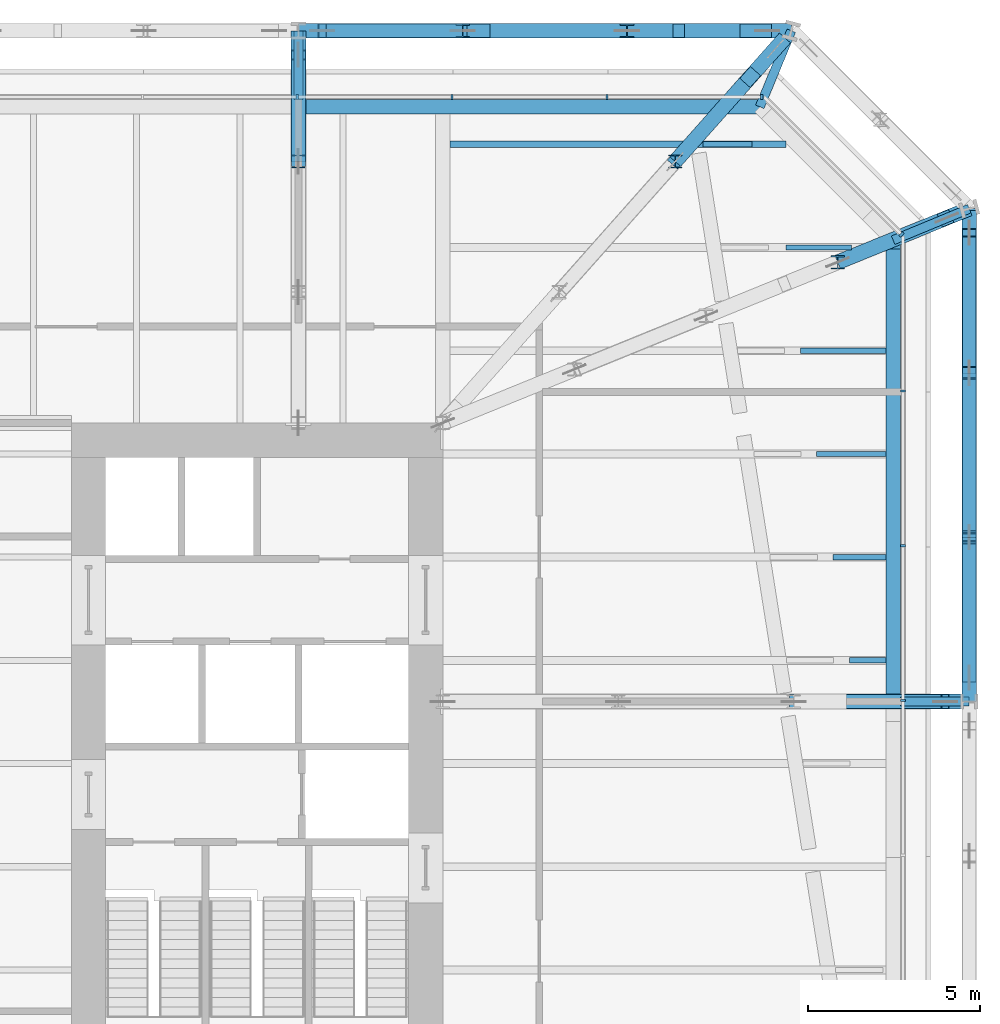
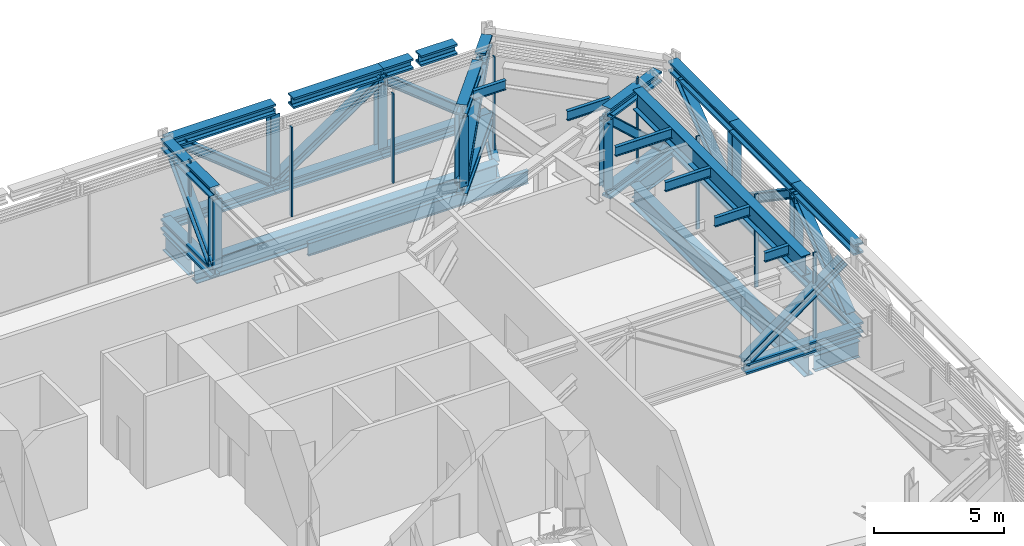
# One storey, part 18 of 31: 35 beams, 25 members, 3 elements without a shape of their own.
"""IFC4 building model written with IfcOpenShell, lengths in metres."""

import ifcopenshell
import ifcopenshell.guid

model = None  # the IFC model being written
_history = None  # IfcOwnerHistory: only IFC2X3 demands one
_inside = {}  # id of a spatial element -> (the spatial element, [elements in it])
_under = {}  # id of a project, library or spatial element -> (it, [spatial elements below it])
_declared = {}  # id of a project -> (the project, [libraries it declares])
_typed = {}  # id of a type object -> (the type object, [elements of that type])
_made_of = {}  # id of a material, layer set ... -> (it, [elements and type objects made of it])


def new_model(schema):
    """Start an empty IFC model of exactly this schema.

    Asked for "IFC4X3", IfcOpenShell would pick the latest addendum, in which some entities
    have other attributes; the version numbers below select the first issue.
    IFC2X3 requires an IfcOwnerHistory on every rooted entity: one is made here for all.
    """
    global model, _history
    if schema == "IFC4X3":
        model = ifcopenshell.file(schema_version=(4, 3, 0, 0))
    else:
        model = ifcopenshell.file(schema=schema)
    _inside.clear()
    _under.clear()
    _declared.clear()
    _typed.clear()
    _made_of.clear()
    _history = None
    if model.schema == "IFC2X3":
        org = make("IfcOrganization", Name="unknown")
        user = make(
            "IfcPersonAndOrganization",
            ThePerson=make("IfcPerson", FamilyName="unknown"),
            TheOrganization=org,
        )
        app = make(
            "IfcApplication",
            ApplicationDeveloper=org,
            Version="unknown",
            ApplicationFullName="unknown",
            ApplicationIdentifier="unknown",
        )
        _history = make(
            "IfcOwnerHistory",
            OwningUser=user,
            OwningApplication=app,
            ChangeAction="ADDED",
            CreationDate=0,
        )
    return model


def make(cls, **values):
    """One entity of the class cls with the attributes given. An attribute that is None is left unset."""
    return model.create_entity(
        cls, **{name: value for name, value in values.items() if value is not None}
    )


def rooted(cls, **values):
    """An entity with a GlobalId (a new one), such as an element, a storey or a relation."""
    return make(cls, GlobalId=ifcopenshell.guid.new(), OwnerHistory=_history, **values)


def si_unit(unit_type, name, prefix=None):
    """IfcSIUnit, for example si_unit("LENGTHUNIT", "METRE", prefix="MILLI")."""
    return make("IfcSIUnit", UnitType=unit_type, Prefix=prefix, Name=name)


def assignment(units):
    """IfcUnitAssignment: the units of a project."""
    return None if units is None else make("IfcUnitAssignment", Units=units)


def point(xyz):
    """IfcCartesianPoint."""
    return None if xyz is None else make("IfcCartesianPoint", Coordinates=xyz)


def direction(xyz):
    """IfcDirection."""
    return None if xyz is None else make("IfcDirection", DirectionRatios=xyz)


def frame(location, z_axis=None, x_axis=None):
    """IfcAxis2Placement3D, a coordinate frame: its origin and axes. An axis left out is left unset."""
    return make(
        "IfcAxis2Placement3D",
        Location=point(location),
        Axis=direction(z_axis),
        RefDirection=direction(x_axis),
    )


def frame_2d(location, x_axis=None):
    """IfcAxis2Placement2D, a coordinate frame in the plane: its origin and x axis."""
    return make(
        "IfcAxis2Placement2D", Location=point(location), RefDirection=direction(x_axis)
    )


def origin():
    """The frame at (0, 0, 0) with its axes left unset."""
    return frame((0.0, 0.0, 0.0))


def origin_2d():
    """The frame at (0, 0) in the plane with its x axis left unset."""
    return frame_2d((0.0, 0.0))


def place(relative_to, where):
    """IfcLocalPlacement: puts the frame where relative to a parent placement (None: the world)."""
    return make(
        "IfcLocalPlacement", PlacementRelTo=relative_to, RelativePlacement=where
    )


def context(
    kind, dimensions, precision=None, world=None, true_north=None, identifier=None
):
    """IfcGeometricRepresentationContext, for example the 3D "Model" context."""
    return make(
        "IfcGeometricRepresentationContext",
        ContextIdentifier=identifier,
        ContextType=kind,
        CoordinateSpaceDimension=dimensions,
        Precision=precision,
        WorldCoordinateSystem=world,
        TrueNorth=true_north,
    )


def subcontext(parent, identifier, kind, view, scale=None):
    """IfcGeometricRepresentationSubContext, for example "Body" below "Model"."""
    return make(
        "IfcGeometricRepresentationSubContext",
        ContextIdentifier=identifier,
        ContextType=kind,
        ParentContext=parent,
        TargetScale=scale,
        TargetView=view,
    )


def project(units=None, contexts=None):
    """IfcProject with its units and contexts."""
    return rooted(
        "IfcProject",
        Name="project",
        RepresentationContexts=contexts,
        UnitsInContext=assignment(units),
    )


def spatial(cls, under=None, at=None, **own):
    """A site, building, storey or space (cls), placed at a placement, below another one or the project."""
    s = rooted(cls, ObjectPlacement=at, **own)
    if under is not None:
        _under.setdefault(under.id(), (under, []))[1].append(s)
    return s


def profile(cls, at=None, kind="AREA", **sizes):
    """A parametric profile (cls). Its sizes go by their IFC names, for example OverallWidth=200.0."""
    return make(cls, ProfileType=kind, Position=at, **sizes)


def rectangle(**sizes):
    """IfcRectangleProfileDef."""
    return profile("IfcRectangleProfileDef", **sizes)


def i_section(**sizes):
    """IfcIShapeProfileDef."""
    return profile("IfcIShapeProfileDef", **sizes)


def extrude(swept, where, along, depth):
    """IfcExtrudedAreaSolid: the profile swept, set in the frame where, extruded along a direction by depth."""
    return make(
        "IfcExtrudedAreaSolid",
        SweptArea=swept,
        Position=where,
        ExtrudedDirection=direction(along),
        Depth=depth,
    )


def shape(context_of_items, identifier, shape_type, items):
    """IfcShapeRepresentation: the items that make up one representation, for example the "Body"."""
    return make(
        "IfcShapeRepresentation",
        ContextOfItems=context_of_items,
        RepresentationIdentifier=identifier,
        RepresentationType=shape_type,
        Items=items,
    )


def material(Name=None, Category=None):
    """IfcMaterial."""
    return make("IfcMaterial", Name=Name, Category=Category)


def layer(
    of_material, thickness, ventilated=None, Name=None, Category=None, Priority=None
):
    """IfcMaterialLayer: one layer of a wall or slab, of a material (None: an air gap)."""
    return make(
        "IfcMaterialLayer",
        Material=of_material,
        LayerThickness=thickness,
        IsVentilated=ventilated,
        Name=Name,
        Category=Category,
        Priority=Priority,
    )


def layer_set(layers, Name=None):
    """IfcMaterialLayerSet."""
    return make("IfcMaterialLayerSet", MaterialLayers=layers, LayerSetName=Name)


def material_profile(
    of_material, cross_section, Name=None, Category=None, Priority=None
):
    """IfcMaterialProfile: a cross section and its material."""
    return make(
        "IfcMaterialProfile",
        Name=Name,
        Material=of_material,
        Profile=cross_section,
        Priority=Priority,
        Category=Category,
    )


def profile_set(profiles, Name=None, composite=None):
    """IfcMaterialProfileSet."""
    return make(
        "IfcMaterialProfileSet",
        Name=Name,
        MaterialProfiles=profiles,
        CompositeProfile=composite,
    )


def made_of(thing, what):
    """Note that an element or type object is made of a material, layer set ...; save() writes the relation."""
    if what is not None:
        _made_of.setdefault(what.id(), (what, []))[1].append(thing)
    return thing


def type_object(cls, material=None, **own):
    """A type object (cls), such as IfcWallType, which elements share."""
    return made_of(rooted(cls, **own), material)


def element(
    cls,
    number,
    at=None,
    inside=None,
    cuts=None,
    type_object=None,
    material=None,
    context=None,
    identifier="Body",
    shape_type=None,
    held_by="IfcProductDefinitionShape",
    body=None,
    shapes=None,
    **own,
):
    """One element of the class cls, such as IfcWall. Its Tag is "e" and its number.

    at: its placement. inside: the storey or other place that contains it. cuts: it is an
    opening in that element (IfcRelVoidsElement). A single representation is given by context,
    identifier, shape_type and body (its items); several are given by shapes. held_by: the class
    of the entity that holds the representations. save() writes the other relations.
    """
    e = rooted(cls, Tag="e%d" % number, ObjectPlacement=at, **own)
    if body is not None:
        shapes = [shape(context, identifier, shape_type, body)]
    if shapes is not None:
        e.Representation = make(held_by, Representations=shapes)
    if inside is not None:
        _inside.setdefault(inside.id(), (inside, []))[1].append(e)
    if cuts is not None:
        rooted(
            "IfcRelVoidsElement", RelatingBuildingElement=cuts, RelatedOpeningElement=e
        )
    if type_object is not None:
        _typed.setdefault(type_object.id(), (type_object, []))[1].append(e)
    return made_of(e, material)


def aggregate(whole, parts):
    """IfcRelAggregates: a whole, such as a stair, and the parts it consists of."""
    return rooted("IfcRelAggregates", RelatingObject=whole, RelatedObjects=parts)


def save(model, path):
    """Write the relations noted so far, then the file.

    IfcRelAggregates (storeys below a building ...), IfcRelContainedInSpatialStructure (elements
    in a storey), IfcRelDefinesByType, IfcRelAssociatesMaterial and IfcRelDeclares: one each for
    every whole, place, type object, material and project.
    """
    for whole, parts in _under.values():
        aggregate(whole, parts)
    for where, things in _inside.values():
        rooted(
            "IfcRelContainedInSpatialStructure",
            RelatedElements=things,
            RelatingStructure=where,
        )
    for kind, things in _typed.values():
        rooted("IfcRelDefinesByType", RelatedObjects=things, RelatingType=kind)
    for what, things in _made_of.values():
        rooted("IfcRelAssociatesMaterial", RelatedObjects=things, RelatingMaterial=what)
    for by, libraries in _declared.values():
        rooted("IfcRelDeclares", RelatingContext=by, RelatedDefinitions=libraries)
    model.write(path)


model = new_model("IFC4")

# Units and contexts
model_context = context("Model", 3, precision=1e-05, world=origin(), true_north=direction((0.0, 1.0)))
body_context = subcontext(model_context, "Body", "Model", "MODEL_VIEW")
ifc_project = project(units=[si_unit("LENGTHUNIT", "METRE"), si_unit("AREAUNIT", "SQUARE_METRE"), si_unit("VOLUMEUNIT", "CUBIC_METRE"), si_unit("PLANEANGLEUNIT", "RADIAN"), si_unit("MASSUNIT", "GRAM", prefix="KILO")], contexts=[model_context])

# Site, building, storey
site_placement = place(None, origin())
site = spatial("IfcSite", under=ifc_project, at=site_placement, CompositionType="ELEMENT")
building_placement = place(site_placement, origin())
building = spatial("IfcBuilding", under=site, at=building_placement, Name="Millrace Tower", CompositionType="ELEMENT")
storey_placement = place(building_placement, frame((0.0, 0.0, 120.39990234375)))
storey = spatial("IfcBuildingStorey", under=building, at=storey_placement, Name="L26", CompositionType="ELEMENT", Elevation=120.39990234375)

# Beams
ifc_material_1 = material(Name="Steel ASTM A992 Grade 50", Category="steel")
ifc_material_profile_1 = material_profile(ifc_material_1, i_section(OverallWidth=0.431884765625, OverallDepth=0.497802734375, WebThickness=0.0556640625, FlangeThickness=0.0888671875, FilletRadius=0.01513671875, at=origin_2d()))
ifc_profile_set_1 = profile_set([ifc_material_profile_1], Name="Steel ASTM A992 Grade 50")
beam_type_1 = type_object("IfcBeamType", Name="Belt truss chord W14x500", PredefinedType="BEAM", material=ifc_profile_set_1)
for number, where, z_axis, x_axis, name in (
    (1, (30.199951171875, 1.800048828125, 0.2490234375), (0.0, 1.0, 0.0), (-1.0, 0.0, 0.0), "BLT-L26-R08-B01"),
    (2, (30.199951171875, 1.800048828125, 3.9912109375), (0.0, 1.0, 0.0), (-1.0, 0.0, 0.0), "BLT-L26-R08-T01"),
    (3, (30.199951171875, 6.576171875, 0.2490234375), (0.0, 1.0, 0.0), (-1.0, 0.0, 0.0), "BLT-L26-R08-B02"),
    (4, (30.199951171875, 6.576171875, 3.9912109375), (0.0, 1.0, 0.0), (-1.0, 0.0, 0.0), "BLT-L26-R08-T02"),
    (5, (30.199951171875, 11.352294921875, 0.2490234375), (0.0, 1.0, 0.0), (-1.0, 0.0, 0.0), "BLT-L26-R08-B03"),
    (6, (25.0283203125, 21.300048828125, 0.2490234375), (-1.0, 0.0, 0.0), (0.0, -1.0, 0.0), "BLT-L26-R10-B01"),
    (7, (20.252197265625, 21.300048828125, 0.2490234375), (-1.0, 0.0, 0.0), (0.0, -1.0, 0.0), "BLT-L26-R10-B02"),
    (8, (15.47607421875, 21.300048828125, 0.2490234375), (-1.0, 0.0, 0.0), (0.0, -1.0, 0.0), "BLT-L26-R10-B03"),
    (9, (15.47607421875, 21.300048828125, 3.9912109375), (-1.0, 0.0, 0.0), (0.0, -1.0, 0.0), "BLT-L26-R10-T03"),
):
    element("IfcBeam", number, at=place(storey_placement, frame(where, z_axis=z_axis, x_axis=x_axis)), inside=storey, type_object=beam_type_1, Name=name, PredefinedType="BEAM", context=body_context, shape_type="SweptSolid", body=[
        extrude(i_section(OverallWidth=0.431884765625, OverallDepth=0.497802734375, WebThickness=0.0556640625, FlangeThickness=0.0888671875, FilletRadius=0.01513671875, at=origin_2d()), origin(), (0.0, 0.0, 1.0), 4.776123046875),
    ])
beam_1_placement = place(storey_placement, frame((30.199951171875, 11.352294921875, 3.9912109375), z_axis=(0.0, 1.0, 0.0), x_axis=(-1.0, 0.0, 0.0)))
element("IfcBeam", 10, at=beam_1_placement, inside=storey, type_object=beam_type_1, Name="BLT-L26-R08-T03", PredefinedType="BEAM", context=body_context, shape_type="SweptSolid", body=[
    extrude(i_section(OverallWidth=0.431884765625, OverallDepth=0.497802734375, WebThickness=0.0556640625, FlangeThickness=0.0888671875, FilletRadius=0.01513671875, at=origin_2d()), origin(), (0.0, 0.0, 1.0), 4.730712890625),
])
beam_2_placement = place(storey_placement, frame((20.252197265625, 21.300048828125, 3.9912109375), z_axis=(-1.0, 0.0, 0.0), x_axis=(0.0, -1.0, 0.0)))
element("IfcBeam", 11, at=beam_2_placement, inside=storey, type_object=beam_type_1, Name="BLT-L26-R10-T02", PredefinedType="BEAM", context=body_context, shape_type="SweptSolid", body=[
    extrude(i_section(OverallWidth=0.431884765625, OverallDepth=0.497802734375, WebThickness=0.0556640625, FlangeThickness=0.0888671875, FilletRadius=0.01513671875, at=origin_2d()), origin(), (0.0, 0.0, 1.0), 3.9794921875),
])
beam_3_placement = place(storey_placement, frame((21.58544921875, 21.300048828125, 3.9912109375), z_axis=(-1.0, 0.0, 0.0), x_axis=(0.0, -1.0, 0.0)))
element("IfcBeam", 12, at=beam_3_placement, inside=storey, type_object=beam_type_1, Name="BLT-L26-R10-T01-b", PredefinedType="BEAM", context=body_context, shape_type="SweptSolid", body=[
    extrude(i_section(OverallWidth=0.431884765625, OverallDepth=0.497802734375, WebThickness=0.0556640625, FlangeThickness=0.0888671875, FilletRadius=0.01513671875, at=origin_2d()), origin(), (0.0, 0.0, 1.0), 1.333251953125),
])
beam_4_placement = place(storey_placement, frame((23.54345703125, 21.300048828125, 3.9912109375), z_axis=(-1.0, 0.0, 0.0), x_axis=(0.0, -1.0, 0.0)))
element("IfcBeam", 13, at=beam_4_placement, inside=storey, type_object=beam_type_1, Name="BLT-L26-R10-T01-a", PredefinedType="BEAM", context=body_context, shape_type="SweptSolid", body=[
    extrude(i_section(OverallWidth=0.431884765625, OverallDepth=0.497802734375, WebThickness=0.0556640625, FlangeThickness=0.0888671875, FilletRadius=0.01513671875, at=origin_2d()), origin(), (0.0, 0.0, 1.0), 1.61865234375),
])

# Members
ifc_material_2 = material(Name="Steel ASTM A992 Grade 50", Category="steel")
ifc_material_profile_2 = material_profile(ifc_material_2, i_section(OverallWidth=0.4013671875, OverallDepth=0.398681640625, WebThickness=0.02490234375, FlangeThickness=0.03955078125, FilletRadius=0.01513671875, at=origin_2d()))
ifc_profile_set_2 = profile_set([ifc_material_profile_2], Name="Steel ASTM A992 Grade 50")
member_type_1 = type_object("IfcMemberType", Name="Belt truss diagonal W14x211", PredefinedType="BRACE", material=ifc_profile_set_2)
member_1_placement = place(storey_placement, frame((30.199951171875, 2.5, 0.498046875), z_axis=(0.0, 0.782439131655, 0.62272707124), x_axis=(-1.0, 0.0, 0.0)))
element("IfcMember", 14, at=member_1_placement, inside=storey, type_object=member_type_1, Name="BLT-L26-R08-D01", PredefinedType="BRACE", context=body_context, shape_type="SweptSolid", body=[
    extrude(i_section(OverallWidth=0.4013671875, OverallDepth=0.398681640625, WebThickness=0.02490234375, FlangeThickness=0.03955078125, FilletRadius=0.01513671875, at=origin_2d()), origin(), (0.0, 0.0, 1.0), 5.20947265625),
])
member_2_placement = place(storey_placement, frame((30.199951171875, 11.352294921875, 0.498046875), z_axis=(0.0, -0.827218174589, 0.561880851809), x_axis=(1.0, 0.0, 0.0)))
element("IfcMember", 15, at=member_2_placement, inside=storey, type_object=member_type_1, Name="BLT-L26-R08-D02", PredefinedType="BRACE", context=body_context, shape_type="SweptSolid", body=[
    extrude(i_section(OverallWidth=0.4013671875, OverallDepth=0.398681640625, WebThickness=0.02490234375, FlangeThickness=0.03955078125, FilletRadius=0.01513671875, at=origin_2d()), origin(), (0.0, 0.0, 1.0), 5.773681640625),
])
for number, where, z_axis, x_axis, name in (
    (16, (30.199951171875, 11.352294921875, 0.498046875), (0.0, 0.782439131655, 0.62272707124), (-1.0, 0.0, 0.0), "BLT-L26-R08-D03"),
    (17, (24.328369140625, 21.300048828125, 0.498046875), (-0.782439131655, 0.0, 0.62272707124), (0.0, -1.0, 0.0), "BLT-L26-R10-D01"),
):
    element("IfcMember", number, at=place(storey_placement, frame(where, z_axis=z_axis, x_axis=x_axis)), inside=storey, type_object=member_type_1, Name=name, PredefinedType="BRACE", context=body_context, shape_type="SweptSolid", body=[
        extrude(i_section(OverallWidth=0.4013671875, OverallDepth=0.398681640625, WebThickness=0.02490234375, FlangeThickness=0.03955078125, FilletRadius=0.01513671875, at=origin_2d()), origin(), (0.0, 0.0, 1.0), 5.20947265625),
    ])
member_3_placement = place(storey_placement, frame((15.47607421875, 21.300048828125, 0.498046875), z_axis=(0.827218174589, 0.0, 0.561880851809), x_axis=(0.0, 1.0, 0.0)))
element("IfcMember", 18, at=member_3_placement, inside=storey, type_object=member_type_1, Name="BLT-L26-R10-D02", PredefinedType="BRACE", context=body_context, shape_type="SweptSolid", body=[
    extrude(i_section(OverallWidth=0.4013671875, OverallDepth=0.398681640625, WebThickness=0.02490234375, FlangeThickness=0.03955078125, FilletRadius=0.01513671875, at=origin_2d()), origin(), (0.0, 0.0, 1.0), 5.773681640625),
])
member_4_placement = place(storey_placement, frame((15.47607421875, 21.300048828125, 0.498046875), z_axis=(-0.782439131655, 0.0, 0.62272707124), x_axis=(0.0, -1.0, 0.0)))
element("IfcMember", 19, at=member_4_placement, inside=storey, type_object=member_type_1, Name="BLT-L26-R10-D03", PredefinedType="BRACE", context=body_context, shape_type="SweptSolid", body=[
    extrude(i_section(OverallWidth=0.4013671875, OverallDepth=0.398681640625, WebThickness=0.02490234375, FlangeThickness=0.03955078125, FilletRadius=0.01513671875, at=origin_2d()), origin(), (0.0, 0.0, 1.0), 5.20947265625),
])
ifc_material_3 = material(Name="Steel ASTM A992 Grade 50", Category="steel")
ifc_material_profile_3 = material_profile(ifc_material_3, i_section(OverallWidth=0.398681640625, OverallDepth=0.385986328125, WebThickness=0.02099609375, FlangeThickness=0.033203125, FilletRadius=0.01513671875, at=origin_2d()))
ifc_profile_set_3 = profile_set([ifc_material_profile_3], Name="Steel ASTM A992 Grade 50")
member_type_2 = type_object("IfcMemberType", Name="Belt truss post W14x176", PredefinedType="POST", material=ifc_profile_set_3)
for number, where, z_axis, x_axis, name in (
    (20, (30.199951171875, 6.576171875, 0.498046875), (0.0, 0.0, 1.0), (1.0, 0.0, 0.0), "BLT-L26-R08-V01"),
    (21, (30.199951171875, 11.352294921875, 0.498046875), (0.0, 0.0, 1.0), (1.0, 0.0, 0.0), "BLT-L26-R08-V02"),
    (22, (20.252197265625, 21.300048828125, 0.498046875), (0.0, 0.0, 1.0), (1.0, 0.0, 0.0), "BLT-L26-R10-V01"),
    (23, (15.47607421875, 21.300048828125, 0.498046875), (0.0, 0.0, 1.0), (1.0, 0.0, 0.0), "BLT-L26-R10-V02"),
):
    element("IfcMember", number, at=place(storey_placement, frame(where, z_axis=z_axis, x_axis=x_axis)), inside=storey, type_object=member_type_2, Name=name, PredefinedType="POST", context=body_context, shape_type="SweptSolid", body=[
        extrude(i_section(OverallWidth=0.398681640625, OverallDepth=0.385986328125, WebThickness=0.02099609375, FlangeThickness=0.033203125, FilletRadius=0.01513671875, at=origin_2d()), origin(), (0.0, 0.0, 1.0), 3.244140625),
    ])

# Curtain wall, members
ifc_material_4 = material(Name="Aluminium and glass", Category="aluminium")
ifc_layer = layer(ifc_material_4, 0.14990234375)
ifc_layer_set = layer_set([ifc_layer], Name="Aluminium and glass")
curtain_wall_type = type_object("IfcCurtainWallType", Name="CW-5 truss and plant storey louvred infill", PredefinedType="NOTDEFINED", material=ifc_layer_set)
placement = place(storey_placement, origin())
curtain_wall_1 = element("IfcCurtainWall", 24, at=placement, inside=storey, type_object=curtain_wall_type, Name="Curtain wall B-F04 L26", PredefinedType="NOTDEFINED")
ifc_material_5 = material(Name="Aluminium", Category="aluminium")
ifc_material_profile_4 = material_profile(ifc_material_5, rectangle(XDim=0.06494140625, YDim=0.14990234375, at=origin_2d()))
ifc_profile_set_4 = profile_set([ifc_material_profile_4], Name="Aluminium")
member_type_3 = type_object("IfcMemberType", Name="CW-5 truss and plant storey louvred infill mullion", PredefinedType="MULLION", material=ifc_profile_set_4)
member_5_placement = place(storey_placement, frame((28.27490234375, 1.83251953125, 0.14013671875), z_axis=(0.0, 0.0, 1.0), x_axis=(0.0, 1.0, 0.0)))
member_5 = element("IfcMember", 25, at=member_5_placement, type_object=member_type_3, Name="CW5 mullion B-F04.7", PredefinedType="MULLION", context=body_context, shape_type="SweptSolid", body=[
    extrude(rectangle(XDim=0.06494140625, YDim=0.14990234375, at=origin_2d()), origin(), (0.0, 0.0, 1.0), 4.35986328125),
])
member_6_placement = place(storey_placement, frame((28.27490234375, 6.33251953125, 0.14013671875), z_axis=(0.0, 0.0, 1.0), x_axis=(0.0, 1.0, 0.0)))
member_6 = element("IfcMember", 26, at=member_6_placement, type_object=member_type_3, Name="CW5 mullion B-F04.8", PredefinedType="MULLION", context=body_context, shape_type="SweptSolid", body=[
    extrude(rectangle(XDim=0.06494140625, YDim=0.14990234375, at=origin_2d()), origin(), (0.0, 0.0, 1.0), 4.35986328125),
])
member_7_placement = place(storey_placement, frame((28.27490234375, 10.83251953125, 0.14013671875), z_axis=(0.0, 0.0, 1.0), x_axis=(0.0, 1.0, 0.0)))
member_7 = element("IfcMember", 27, at=member_7_placement, type_object=member_type_3, Name="CW5 mullion B-F04.9", PredefinedType="MULLION", context=body_context, shape_type="SweptSolid", body=[
    extrude(rectangle(XDim=0.06494140625, YDim=0.14990234375, at=origin_2d()), origin(), (0.0, 0.0, 1.0), 4.35986328125),
])
aggregate(curtain_wall_1, [member_5, member_6, member_7])

# Curtain wall, member
curtain_wall_2 = element("IfcCurtainWall", 28, at=placement, inside=storey, type_object=curtain_wall_type, Name="Curtain wall B-F05 L26", PredefinedType="NOTDEFINED")
member_8_placement = place(storey_placement, frame((28.22998046875, 15.3759765625, 0.14013671875), z_axis=(0.0, 0.0, 1.0), x_axis=(-0.707106781187, 0.707106781187, 0.0)))
member_8 = element("IfcMember", 29, at=member_8_placement, type_object=member_type_3, Name="CW5 mullion B-F05.1", PredefinedType="MULLION", context=body_context, shape_type="SweptSolid", body=[
    extrude(rectangle(XDim=0.06494140625, YDim=0.14990234375, at=origin_2d()), origin(), (0.0, 0.0, 1.0), 4.35986328125),
])
aggregate(curtain_wall_2, [member_8])

# Curtain wall, members
curtain_wall_3 = element("IfcCurtainWall", 30, at=placement, inside=storey, type_object=curtain_wall_type, Name="Curtain wall B-F06 L26", PredefinedType="NOTDEFINED")
member_9_placement = place(storey_placement, frame((24.16748046875, 19.375, 0.14013671875), z_axis=(0.0, 0.0, 1.0), x_axis=(-1.0, 0.0, 0.0)))
member_9 = element("IfcMember", 31, at=member_9_placement, type_object=member_type_3, Name="CW5 mullion B-F06.1", PredefinedType="MULLION", context=body_context, shape_type="SweptSolid", body=[
    extrude(rectangle(XDim=0.06494140625, YDim=0.14990234375, at=origin_2d()), origin(), (0.0, 0.0, 1.0), 4.35986328125),
])
member_10_placement = place(storey_placement, frame((19.66748046875, 19.375, 0.14013671875), z_axis=(0.0, 0.0, 1.0), x_axis=(-1.0, 0.0, 0.0)))
member_10 = element("IfcMember", 32, at=member_10_placement, type_object=member_type_3, Name="CW5 mullion B-F06.2", PredefinedType="MULLION", context=body_context, shape_type="SweptSolid", body=[
    extrude(rectangle(XDim=0.06494140625, YDim=0.14990234375, at=origin_2d()), origin(), (0.0, 0.0, 1.0), 4.199951171875),
])
member_11_placement = place(storey_placement, frame((15.16748046875, 19.375, 0.14013671875), z_axis=(0.0, 0.0, 1.0), x_axis=(-1.0, 0.0, 0.0)))
member_11 = element("IfcMember", 33, at=member_11_placement, type_object=member_type_3, Name="CW5 mullion B-F06.3", PredefinedType="MULLION", context=body_context, shape_type="SweptSolid", body=[
    extrude(rectangle(XDim=0.06494140625, YDim=0.14990234375, at=origin_2d()), origin(), (0.0, 0.0, 1.0), 4.199951171875),
])
member_12_placement = place(storey_placement, frame((10.66748046875, 19.375, 0.14013671875), z_axis=(0.0, 0.0, 1.0), x_axis=(-1.0, 0.0, 0.0)))
member_12 = element("IfcMember", 34, at=member_12_placement, type_object=member_type_3, Name="CW5 mullion B-F06.4", PredefinedType="MULLION", context=body_context, shape_type="SweptSolid", body=[
    extrude(rectangle(XDim=0.06494140625, YDim=0.14990234375, at=origin_2d()), origin(), (0.0, 0.0, 1.0), 4.199951171875),
])
aggregate(curtain_wall_3, [member_9, member_10, member_11, member_12])

# Beams
ifc_material_6 = material(Name="Steel ASTM A992 Grade 50", Category="steel")
ifc_material_profile_5 = material_profile(ifc_material_6, i_section(OverallWidth=0.15234375, OverallDepth=0.449462890625, WebThickness=0.007568359375, FlangeThickness=0.0107421875, FilletRadius=0.01025390625, at=origin_2d()))
ifc_profile_set_5 = profile_set([ifc_material_profile_5], Name="Steel ASTM A992 Grade 50")
beam_type_2 = type_object("IfcBeamType", Name="Floor beam W18x35", PredefinedType="JOIST", material=ifc_profile_set_5)
beam_5_placement = place(storey_placement, frame((26.7138671875, 3.0, 4.115234375), z_axis=(1.0, 0.0, 0.0), x_axis=(0.0, 1.0, 0.0)))
element("IfcBeam", 35, at=beam_5_placement, inside=storey, type_object=beam_type_2, Name="BM-B-L26-R2-S005-b", PredefinedType="JOIST", context=body_context, shape_type="SweptSolid", body=[
    extrude(i_section(OverallWidth=0.15234375, OverallDepth=0.449462890625, WebThickness=0.007568359375, FlangeThickness=0.0107421875, FilletRadius=0.01025390625, at=origin_2d()), origin(), (0.0, 0.0, 1.0), 1.064453125),
])
beam_6_placement = place(storey_placement, frame((26.23876953125, 6.0, 4.115234375), z_axis=(1.0, 0.0, 0.0), x_axis=(0.0, 1.0, 0.0)))
element("IfcBeam", 36, at=beam_6_placement, inside=storey, type_object=beam_type_2, Name="BM-B-L26-R2-S006-b", PredefinedType="JOIST", context=body_context, shape_type="SweptSolid", body=[
    extrude(i_section(OverallWidth=0.15234375, OverallDepth=0.449462890625, WebThickness=0.007568359375, FlangeThickness=0.0107421875, FilletRadius=0.01025390625, at=origin_2d()), origin(), (0.0, 0.0, 1.0), 1.53955078125),
])
beam_7_placement = place(storey_placement, frame((25.763671875, 9.0, 4.115234375), z_axis=(1.0, 0.0, 0.0), x_axis=(0.0, 1.0, 0.0)))
element("IfcBeam", 37, at=beam_7_placement, inside=storey, type_object=beam_type_2, Name="BM-B-L26-R2-S007-b", PredefinedType="JOIST", context=body_context, shape_type="SweptSolid", body=[
    extrude(i_section(OverallWidth=0.15234375, OverallDepth=0.449462890625, WebThickness=0.007568359375, FlangeThickness=0.0107421875, FilletRadius=0.01025390625, at=origin_2d()), origin(), (0.0, 0.0, 1.0), 2.0146484375),
])
beam_8_placement = place(storey_placement, frame((25.288330078125, 12.0, 4.115234375), z_axis=(1.0, 0.0, 0.0), x_axis=(0.0, 1.0, 0.0)))
element("IfcBeam", 38, at=beam_8_placement, inside=storey, type_object=beam_type_2, Name="BM-B-L26-R2-S008-b", PredefinedType="JOIST", context=body_context, shape_type="SweptSolid", body=[
    extrude(i_section(OverallWidth=0.15234375, OverallDepth=0.449462890625, WebThickness=0.007568359375, FlangeThickness=0.0107421875, FilletRadius=0.01025390625, at=origin_2d()), origin(), (0.0, 0.0, 1.0), 2.489990234375),
])
beam_9_placement = place(storey_placement, frame((22.45751953125, 18.0, 4.115234375), z_axis=(1.0, 0.0, 0.0), x_axis=(0.0, 1.0, 0.0)))
element("IfcBeam", 39, at=beam_9_placement, inside=storey, type_object=beam_type_2, Name="BM-B-L26-R2-S010", PredefinedType="JOIST", context=body_context, shape_type="SweptSolid", body=[
    extrude(i_section(OverallWidth=0.15234375, OverallDepth=0.449462890625, WebThickness=0.007568359375, FlangeThickness=0.0107421875, FilletRadius=0.01025390625, at=origin_2d()), origin(), (0.0, 0.0, 1.0), 1.427490234375),
])
beam_10_placement = place(storey_placement, frame((24.877197265625, 15.0, 4.115234375), z_axis=(1.0, 0.0, 0.0), x_axis=(0.0, 1.0, 0.0)))
element("IfcBeam", 40, at=beam_10_placement, inside=storey, type_object=beam_type_2, Name="BM-B-L26-R2-S009-b", PredefinedType="JOIST", context=body_context, shape_type="SweptSolid", body=[
    extrude(i_section(OverallWidth=0.15234375, OverallDepth=0.449462890625, WebThickness=0.007568359375, FlangeThickness=0.0107421875, FilletRadius=0.01025390625, at=origin_2d()), origin(), (0.0, 0.0, 1.0), 1.894287109375),
])
ifc_material_7 = material(Name="Steel ASTM A992 Grade 50", Category="steel")
ifc_material_profile_6 = material_profile(ifc_material_7, i_section(OverallWidth=0.177978515625, OverallDepth=0.599365234375, WebThickness=0.010009765625, FlangeThickness=0.012939453125, FilletRadius=0.012939453125, at=origin_2d()))
ifc_profile_set_6 = profile_set([ifc_material_profile_6], Name="Steel ASTM A992 Grade 50")
beam_type_3 = type_object("IfcBeamType", Name="Floor beam W24x55", PredefinedType="JOIST", material=ifc_profile_set_6)
beam_11_placement = place(storey_placement, frame((15.112060546875, 18.0, -0.549560546875), z_axis=(1.0, 0.0, 0.0), x_axis=(0.0, 1.0, 0.0)))
element("IfcBeam", 41, at=beam_11_placement, inside=storey, type_object=beam_type_3, Name="BM-B-L26-S1-S039", PredefinedType="JOIST", context=body_context, shape_type="SweptSolid", body=[
    extrude(i_section(OverallWidth=0.177978515625, OverallDepth=0.599365234375, WebThickness=0.010009765625, FlangeThickness=0.012939453125, FilletRadius=0.012939453125, at=origin_2d()), origin(), (0.0, 0.0, 1.0), 9.767578125),
])
ifc_material_8 = material(Name="Steel ASTM A992 Grade 50", Category="steel")
ifc_material_profile_7 = material_profile(ifc_material_8, i_section(OverallWidth=0.2666015625, OverallDepth=0.7568359375, WebThickness=0.013916015625, FlangeThickness=0.019287109375, FilletRadius=0.0166015625, at=origin_2d()))
ifc_profile_set_7 = profile_set([ifc_material_profile_7], Name="Steel ASTM A992 Grade 50")
beam_type_4 = type_object("IfcBeamType", Name="Link beam W30x108", PredefinedType="BEAM", material=ifc_profile_set_7)
beam_12_placement = place(storey_placement, frame((10.699951171875, 19.300048828125, -0.62841796875), z_axis=(0.0, 1.0, 0.0), x_axis=(-1.0, 0.0, 0.0)))
element("IfcBeam", 42, at=beam_12_placement, inside=storey, type_object=beam_type_4, Name="LNK-B-L26-S1-07", PredefinedType="BEAM", context=body_context, shape_type="SweptSolid", body=[
    extrude(i_section(OverallWidth=0.2666015625, OverallDepth=0.7568359375, WebThickness=0.013916015625, FlangeThickness=0.019287109375, FilletRadius=0.0166015625, at=origin_2d()), origin(), (0.0, 0.0, 1.0), 2.0),
])
beam_13_placement = place(storey_placement, frame((24.11279296875, 19.089111328125, -0.62841796875), z_axis=(0.382586070707, 0.92391985502, 0.0), x_axis=(-0.92391985502, 0.382586070707, 0.0)))
element("IfcBeam", 43, at=beam_13_placement, inside=storey, type_object=beam_type_4, Name="LNK-B-L26-S1-08", PredefinedType="BEAM", context=body_context, shape_type="SweptSolid", body=[
    extrude(i_section(OverallWidth=0.2666015625, OverallDepth=0.7568359375, WebThickness=0.013916015625, FlangeThickness=0.019287109375, FilletRadius=0.0166015625, at=origin_2d()), origin(), (0.0, 0.0, 1.0), 2.39306640625),
])
beam_14_placement = place(storey_placement, frame((27.9892578125, 15.212646484375, -0.62841796875), z_axis=(0.923868847724, 0.382709226705, 0.0), x_axis=(-0.382709226705, 0.923868847724, 0.0)))
element("IfcBeam", 44, at=beam_14_placement, inside=storey, type_object=beam_type_4, Name="LNK-B-L26-S1-09", PredefinedType="BEAM", context=body_context, shape_type="SweptSolid", body=[
    extrude(i_section(OverallWidth=0.2666015625, OverallDepth=0.7568359375, WebThickness=0.013916015625, FlangeThickness=0.019287109375, FilletRadius=0.0166015625, at=origin_2d()), origin(), (0.0, 0.0, 1.0), 2.392822265625),
])
beam_15_placement = place(storey_placement, frame((28.199951171875, 1.800048828125, -0.62841796875), z_axis=(1.0, 0.0, 0.0), x_axis=(0.0, 1.0, 0.0)))
element("IfcBeam", 45, at=beam_15_placement, inside=storey, type_object=beam_type_4, Name="LNK-B-L26-S1-10", PredefinedType="BEAM", context=body_context, shape_type="SweptSolid", body=[
    extrude(i_section(OverallWidth=0.2666015625, OverallDepth=0.7568359375, WebThickness=0.013916015625, FlangeThickness=0.019287109375, FilletRadius=0.0166015625, at=origin_2d()), origin(), (0.0, 0.0, 1.0), 2.0),
])
ifc_material_9 = material(Name="Steel ASTM A992 Grade 50", Category="steel")
ifc_material_profile_8 = material_profile(ifc_material_9, i_section(OverallWidth=0.431884765625, OverallDepth=0.497802734375, WebThickness=0.0556640625, FlangeThickness=0.0888671875, FilletRadius=0.01513671875, at=origin_2d()))
ifc_profile_set_8 = profile_set([ifc_material_profile_8], Name="Steel ASTM A992 Grade 50")
beam_type_5 = type_object("IfcBeamType", Name="Outrigger truss chord W14x500", PredefinedType="BEAM", material=ifc_profile_set_8)
beam_16_placement = place(storey_placement, frame((25.10009765625, 1.800048828125, 0.2490234375), z_axis=(1.0, 0.0, 0.0), x_axis=(0.0, 1.0, 0.0)))
element("IfcBeam", 46, at=beam_16_placement, inside=storey, type_object=beam_type_5, Name="BLT-L26-O08-B03", PredefinedType="BEAM", context=body_context, shape_type="SweptSolid", body=[
    extrude(i_section(OverallWidth=0.431884765625, OverallDepth=0.497802734375, WebThickness=0.0556640625, FlangeThickness=0.0888671875, FilletRadius=0.01513671875, at=origin_2d()), origin(), (0.0, 0.0, 1.0), 5.099853515625),
])
beam_17_placement = place(storey_placement, frame((26.375, 14.5712890625, 0.2490234375), z_axis=(0.926192548504, 0.377050876004, 0.0), x_axis=(-0.377050876004, 0.926192548504, 0.0)))
element("IfcBeam", 47, at=beam_17_placement, inside=storey, type_object=beam_type_5, Name="BLT-L26-O09-B04", PredefinedType="BEAM", context=body_context, shape_type="SweptSolid", body=[
    extrude(i_section(OverallWidth=0.431884765625, OverallDepth=0.497802734375, WebThickness=0.0556640625, FlangeThickness=0.0888671875, FilletRadius=0.01513671875, at=origin_2d()), origin(), (0.0, 0.0, 1.0), 4.129638671875),
])
beam_18_placement = place(storey_placement, frame((21.65234375, 17.5, 0.2490234375), z_axis=(0.66416109398, 0.747589487114, 0.0), x_axis=(-0.747589487114, 0.66416109398, 0.0)))
element("IfcBeam", 48, at=beam_18_placement, inside=storey, type_object=beam_type_5, Name="BLT-L26-O10-B03", PredefinedType="BEAM", context=body_context, shape_type="SweptSolid", body=[
    extrude(i_section(OverallWidth=0.431884765625, OverallDepth=0.497802734375, WebThickness=0.0556640625, FlangeThickness=0.0888671875, FilletRadius=0.01513671875, at=origin_2d()), origin(), (0.0, 0.0, 1.0), 5.0830078125),
])
for number, where, z_axis, x_axis, name in (
    (49, (10.699951171875, 17.5, 0.2490234375), (0.0, 1.0, 0.0), (-1.0, 0.0, 0.0), "BLT-L26-O11-B03"),
    (50, (10.699951171875, 17.5, 3.9912109375), (0.0, 1.0, 0.0), (-1.0, 0.0, 0.0), "BLT-L26-O11-T03"),
):
    element("IfcBeam", number, at=place(storey_placement, frame(where, z_axis=z_axis, x_axis=x_axis)), inside=storey, type_object=beam_type_5, Name=name, PredefinedType="BEAM", context=body_context, shape_type="SweptSolid", body=[
        extrude(i_section(OverallWidth=0.431884765625, OverallDepth=0.497802734375, WebThickness=0.0556640625, FlangeThickness=0.0888671875, FilletRadius=0.01513671875, at=origin_2d()), origin(), (0.0, 0.0, 1.0), 3.800048828125),
    ])
beam_19_placement = place(storey_placement, frame((26.375, 14.5712890625, 3.9912109375), z_axis=(0.92619674807, 0.377040559973, 0.0), x_axis=(-0.377040559973, 0.92619674807, 0.0)))
element("IfcBeam", 51, at=beam_19_placement, inside=storey, type_object=beam_type_5, Name="BLT-L26-O09-T04", PredefinedType="BEAM", context=body_context, shape_type="SweptSolid", body=[
    extrude(i_section(OverallWidth=0.431884765625, OverallDepth=0.497802734375, WebThickness=0.0556640625, FlangeThickness=0.0888671875, FilletRadius=0.01513671875, at=origin_2d()), origin(), (0.0, 0.0, 1.0), 3.207275390625),
])
beam_20_placement = place(storey_placement, frame((21.65234375, 17.5, 3.9912109375), z_axis=(0.664165432071, 0.747585633116, 0.0), x_axis=(-0.747585633116, 0.664165432071, 0.0)))
element("IfcBeam", 52, at=beam_20_placement, inside=storey, type_object=beam_type_5, Name="BLT-L26-O10-T03-a", PredefinedType="BEAM", context=body_context, shape_type="SweptSolid", body=[
    extrude(i_section(OverallWidth=0.431884765625, OverallDepth=0.497802734375, WebThickness=0.0556640625, FlangeThickness=0.0888671875, FilletRadius=0.01513671875, at=origin_2d()), origin(), (0.0, 0.0, 1.0), 3.055419921875),
])
beam_21_placement = place(storey_placement, frame((23.9873046875, 20.128173828125, 3.9912109375), z_axis=(0.664116969946, 0.747628684729, 0.0), x_axis=(-0.747628684729, 0.664116969946, 0.0)))
element("IfcBeam", 53, at=beam_21_placement, inside=storey, type_object=beam_type_5, Name="BLT-L26-O10-T03-b", PredefinedType="BEAM", context=body_context, shape_type="SweptSolid", body=[
    extrude(i_section(OverallWidth=0.431884765625, OverallDepth=0.497802734375, WebThickness=0.0556640625, FlangeThickness=0.0888671875, FilletRadius=0.01513671875, at=origin_2d()), origin(), (0.0, 0.0, 1.0), 1.289306640625),
])

# Members
ifc_material_10 = material(Name="Steel ASTM A992 Grade 50", Category="steel")
ifc_material_profile_9 = material_profile(ifc_material_10, i_section(OverallWidth=0.4013671875, OverallDepth=0.398681640625, WebThickness=0.02490234375, FlangeThickness=0.03955078125, FilletRadius=0.01513671875, at=origin_2d()))
ifc_profile_set_9 = profile_set([ifc_material_profile_9], Name="Steel ASTM A992 Grade 50")
member_type_4 = type_object("IfcMemberType", Name="Outrigger truss diagonal W14x211", PredefinedType="BRACE", material=ifc_profile_set_9)
member_13_placement = place(storey_placement, frame((25.10009765625, 1.800048828125, 0.498046875), z_axis=(0.804871704276, 0.0, 0.59344885176), x_axis=(0.0, 1.0, 0.0)))
element("IfcMember", 54, at=member_13_placement, inside=storey, type_object=member_type_4, Name="BLT-L26-O08-D03", PredefinedType="BRACE", context=body_context, shape_type="SweptSolid", body=[
    extrude(i_section(OverallWidth=0.4013671875, OverallDepth=0.398681640625, WebThickness=0.02490234375, FlangeThickness=0.03955078125, FilletRadius=0.01513671875, at=origin_2d()), origin(), (0.0, 0.0, 1.0), 5.466552734375),
])
member_14_placement = place(storey_placement, frame((29.5517578125, 15.864501953125, 0.498046875), z_axis=(-0.672887312454, -0.273922847684, 0.687160052866), x_axis=(0.377041378004, -0.926196415062, 0.0)))
element("IfcMember", 55, at=member_14_placement, inside=storey, type_object=member_type_4, Name="BLT-L26-O09-D04", PredefinedType="BRACE", context=body_context, shape_type="SweptSolid", body=[
    extrude(i_section(OverallWidth=0.4013671875, OverallDepth=0.398681640625, WebThickness=0.02490234375, FlangeThickness=0.03955078125, FilletRadius=0.01513671875, at=origin_2d()), origin(), (0.0, 0.0, 1.0), 4.72119140625),
])
member_15_placement = place(storey_placement, frame((21.65234375, 17.5, 0.498046875), z_axis=(0.533857906016, 0.600881160402, 0.594926522571), x_axis=(-0.747569102588, 0.664184038392, 0.0)))
element("IfcMember", 56, at=member_15_placement, inside=storey, type_object=member_type_4, Name="BLT-L26-O10-D03", PredefinedType="BRACE", context=body_context, shape_type="SweptSolid", body=[
    extrude(i_section(OverallWidth=0.4013671875, OverallDepth=0.398681640625, WebThickness=0.02490234375, FlangeThickness=0.03955078125, FilletRadius=0.01513671875, at=origin_2d()), origin(), (0.0, 0.0, 1.0), 5.453125),
])
member_16_placement = place(storey_placement, frame((10.699951171875, 17.5, 0.498046875), z_axis=(0.0, 0.690874203348, 0.722974989297), x_axis=(-1.0, 0.0, 0.0)))
element("IfcMember", 57, at=member_16_placement, inside=storey, type_object=member_type_4, Name="BLT-L26-O11-D03", PredefinedType="BRACE", context=body_context, shape_type="SweptSolid", body=[
    extrude(i_section(OverallWidth=0.4013671875, OverallDepth=0.398681640625, WebThickness=0.02490234375, FlangeThickness=0.03955078125, FilletRadius=0.01513671875, at=origin_2d()), origin(), (0.0, 0.0, 1.0), 4.4873046875),
])
ifc_material_11 = material(Name="Steel ASTM A992 Grade 50", Category="steel")
ifc_material_profile_10 = material_profile(ifc_material_11, i_section(OverallWidth=0.398681640625, OverallDepth=0.385986328125, WebThickness=0.02099609375, FlangeThickness=0.033203125, FilletRadius=0.01513671875, at=origin_2d()))
ifc_profile_set_10 = profile_set([ifc_material_profile_10], Name="Steel ASTM A992 Grade 50")
member_type_5 = type_object("IfcMemberType", Name="Outrigger truss post W14x176", PredefinedType="POST", material=ifc_profile_set_10)
for number, where, z_axis, x_axis, name in (
    (58, (26.375, 14.5712890625, 0.498046875), (0.0, 0.0, 1.0), (1.0, 0.0, 0.0), "BLT-L26-O09-V03"),
    (59, (21.65234375, 17.5, 0.498046875), (0.0, 0.0, 1.0), (1.0, 0.0, 0.0), "BLT-L26-O10-V02"),
    (60, (10.699951171875, 17.5, 0.498046875), (0.0, 0.0, 1.0), (1.0, 0.0, 0.0), "BLT-L26-O11-V02"),
):
    element("IfcMember", number, at=place(storey_placement, frame(where, z_axis=z_axis, x_axis=x_axis)), inside=storey, type_object=member_type_5, Name=name, PredefinedType="POST", context=body_context, shape_type="SweptSolid", body=[
        extrude(i_section(OverallWidth=0.398681640625, OverallDepth=0.385986328125, WebThickness=0.02099609375, FlangeThickness=0.033203125, FilletRadius=0.01513671875, at=origin_2d()), origin(), (0.0, 0.0, 1.0), 3.244140625),
    ])

# Beams
ifc_material_12 = material(Name="Steel ASTM A992 Grade 50", Category="steel")
ifc_material_profile_11 = material_profile(ifc_material_12, i_section(OverallWidth=0.421630859375, OverallDepth=0.937255859375, WebThickness=0.021240234375, FlangeThickness=0.03662109375, FilletRadius=0.024169921875, at=origin_2d()))
ifc_profile_set_11 = profile_set([ifc_material_profile_11], Name="Steel ASTM A992 Grade 50")
beam_type_6 = type_object("IfcBeamType", Name="Ring beam medium span W36x262", PredefinedType="SPANDREL", material=ifc_profile_set_11)
beam_22_placement = place(storey_placement, frame((10.699951171875, 19.089111328125, -0.718505859375), z_axis=(1.0, 0.0, 0.0), x_axis=(0.0, 1.0, 0.0)))
element("IfcBeam", 61, at=beam_22_placement, inside=storey, type_object=beam_type_6, Name="RNG-B-L26-S1-07", PredefinedType="SPANDREL", context=body_context, shape_type="SweptSolid", body=[
    extrude(i_section(OverallWidth=0.421630859375, OverallDepth=0.937255859375, WebThickness=0.021240234375, FlangeThickness=0.03662109375, FilletRadius=0.024169921875, at=origin_2d()), origin(), (0.0, 0.0, 1.0), 13.412841796875),
])
beam_23_placement = place(storey_placement, frame((27.9892578125, 15.212646484375, -0.718505859375), z_axis=(0.0, -1.0, 0.0), x_axis=(1.0, 0.0, 0.0)))
element("IfcBeam", 62, at=beam_23_placement, inside=storey, type_object=beam_type_6, Name="RNG-B-L26-S1-09", PredefinedType="SPANDREL", context=body_context, shape_type="SweptSolid", body=[
    extrude(i_section(OverallWidth=0.421630859375, OverallDepth=0.937255859375, WebThickness=0.021240234375, FlangeThickness=0.03662109375, FilletRadius=0.024169921875, at=origin_2d()), origin(), (0.0, 0.0, 1.0), 13.41259765625),
])
beam_24_placement = place(storey_placement, frame((27.9892578125, 14.951416015625, 3.87158203125), z_axis=(0.0, -1.0, 0.0), x_axis=(1.0, 0.0, 0.0)))
element("IfcBeam", 63, at=beam_24_placement, inside=storey, type_object=beam_type_6, Name="RNG-B-L26-R2-02", PredefinedType="SPANDREL", context=body_context, shape_type="SweptSolid", body=[
    extrude(i_section(OverallWidth=0.421630859375, OverallDepth=0.937255859375, WebThickness=0.021240234375, FlangeThickness=0.03662109375, FilletRadius=0.024169921875, at=origin_2d()), origin(), (0.0, 0.0, 1.0), 12.935546875),
])

save(model, "model.ifc")
